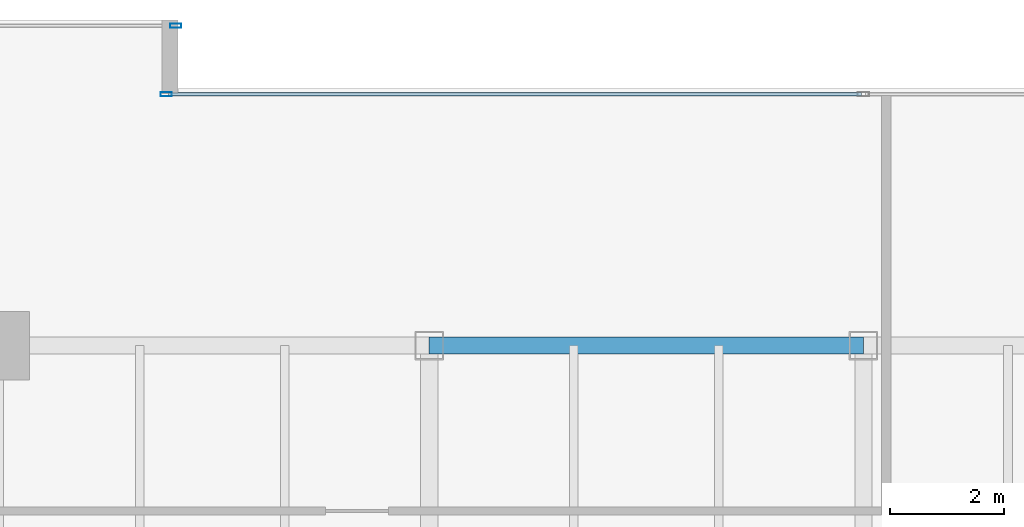
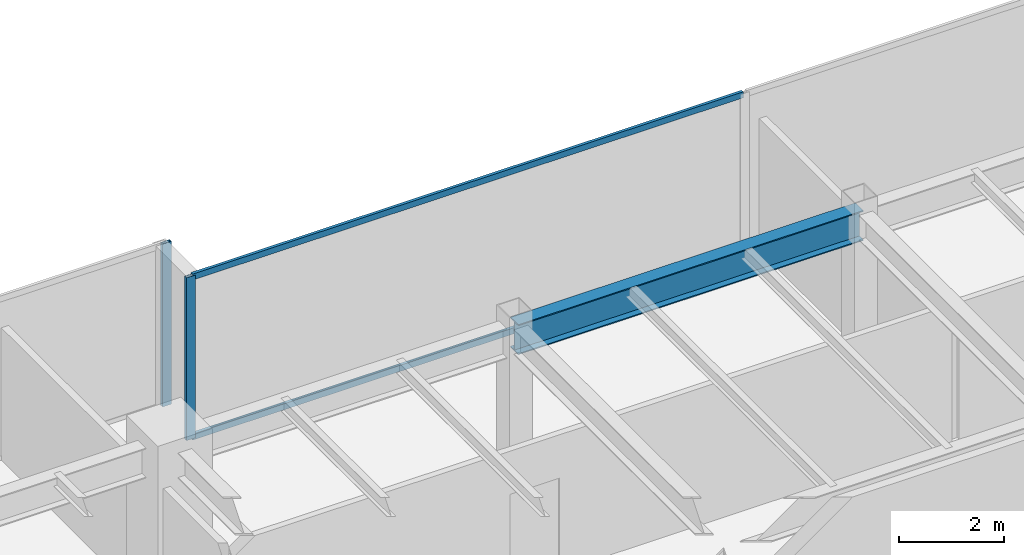
# One storey, part 16 of 30: 4 members, 1 beam, 2 elements without a shape of their own.
"""IFC4 building model written with IfcOpenShell, lengths in metres."""

from ifc_helpers import new_model, si_unit, direction, frame, origin, origin_2d, place, context, subcontext, project, spatial, hollow_rectangle, i_section, extrude, source, transform, mapped, material, layer, layer_set, material_profile, profile_set, type_object, type_shapes, element, aggregate, save


model = new_model("IFC4")

# Units and contexts
model_context = context("Model", 3, precision=1e-05, world=origin(), true_north=direction((0.0, 1.0)))
body_context = subcontext(model_context, "Body", "Model", "MODEL_VIEW")
ifc_project = project(units=[si_unit("LENGTHUNIT", "METRE"), si_unit("AREAUNIT", "SQUARE_METRE"), si_unit("VOLUMEUNIT", "CUBIC_METRE"), si_unit("PLANEANGLEUNIT", "RADIAN"), si_unit("MASSUNIT", "GRAM", prefix="KILO")], contexts=[model_context])

# Site, building, storey
site_placement = place(None, origin())
site = spatial("IfcSite", under=ifc_project, at=site_placement, CompositionType="ELEMENT")
building_placement = place(site_placement, origin())
building = spatial("IfcBuilding", under=site, at=building_placement, Name="Haelvirn Gate Laboratories", CompositionType="ELEMENT")
storey_placement = place(building_placement, frame((0.0, 0.0, 187.10009765625)))
storey = spatial("IfcBuildingStorey", under=building, at=storey_placement, Name="L45", CompositionType="ELEMENT", Elevation=187.10009765625)

# Beam
ifc_material_1 = material(Name="Steel SM355", Category="steel")
ifc_material_profile_1 = material_profile(ifc_material_1, i_section(OverallWidth=0.300048828125, OverallDepth=0.699951171875, WebThickness=0.012939453125, FlangeThickness=0.02392578125, at=origin_2d()), Name="H-700x300x13x24")
ifc_profile_set_1 = profile_set([ifc_material_profile_1], Name="Steel SM355")
beam_type = type_object("IfcBeamType", Name="BM-G-700", PredefinedType="BEAM", material=ifc_profile_set_1)
shared_shape_1 = source(origin(), body_context, "Body", "SweptSolid", [
    extrude(i_section(OverallWidth=0.300048828125, OverallDepth=0.699951171875, WebThickness=0.012939453125, FlangeThickness=0.02392578125, at=origin_2d()), origin(), (0.0, 0.0, 1.0), 7.599853515625),
])
type_shapes(beam_type, [shared_shape_1])
beam_placement = place(storey_placement, frame((29.800048828125, 41.60009765625, 3.43994140625), z_axis=(1.0, 0.0, 0.0), x_axis=(0.0, 1.0, 0.0)))
element("IfcBeam", 1, at=beam_placement, inside=storey, type_object=beam_type, Name="L45 Primary Girder Y41.6 (29.8-37.4)", PredefinedType="BEAM", context=body_context, shape_type="MappedRepresentation", body=[
    mapped(shared_shape_1, transform((0.0, 0.0, 0.0), scale=1.0)),
])

# Curtain wall, members
ifc_material_2 = material(Name="Anodised bronze unitised aluminium & triple low-E glass", Category="aluminium")
ifc_layer = layer(ifc_material_2, 0.179931640625, Name="CW-SYS-3")
ifc_layer_set = layer_set([ifc_layer], Name="Anodised bronze unitised aluminium & triple low-E glass")
curtain_wall_type = type_object("IfcCurtainWallType", Name="CW-SYS-3", PredefinedType="NOTDEFINED", material=ifc_layer_set)
curtain_wall_1_placement = place(storey_placement, origin())
curtain_wall_1 = element("IfcCurtainWall", 2, at=curtain_wall_1_placement, inside=storey, type_object=curtain_wall_type, Name="L45 Unitised Curtain Wall CW-L45-P0-E12-1", PredefinedType="NOTDEFINED")
ifc_material_3 = material(Name="Extruded aluminium 6063-T6 (anodised bronze)", Category="aluminium")
ifc_material_profile_2 = material_profile(ifc_material_3, hollow_rectangle(XDim=0.06494140625, YDim=0.139892578125, WallThickness=0.00390625, at=origin_2d()), Name="CWT-140x65x4")
ifc_profile_set_2 = profile_set([ifc_material_profile_2], Name="Extruded aluminium 6063-T6 (anodised bronze)")
member_type_1 = type_object("IfcMemberType", Name="CWT-T140", PredefinedType="USERDEFINED", material=ifc_profile_set_2)
shared_shape_2 = source(origin(), body_context, "Body", "SweptSolid", [
    extrude(hollow_rectangle(XDim=0.06494140625, YDim=0.139892578125, WallThickness=0.00390625, at=origin_2d()), origin(), (0.0, 0.0, 1.0), 12.12744140625),
])
type_shapes(member_type_1, [shared_shape_2])
member_1_placement = place(storey_placement, frame((25.235107421875, 46.0, 0.032470703125), z_axis=(1.0, 0.0, 0.0), x_axis=(0.0, 1.0, 0.0)))
member_1 = element("IfcMember", 3, at=member_1_placement, type_object=member_type_1, Name="CW3 transom 1.1", ObjectType="TRANSOM", PredefinedType="USERDEFINED", context=body_context, shape_type="MappedRepresentation", body=[
    mapped(shared_shape_2, transform((0.0, 0.0, 0.0), scale=1.0)),
])
member_2_placement = place(storey_placement, frame((25.235107421875, 46.0, 3.75732421875), z_axis=(1.0, 0.0, 0.0), x_axis=(0.0, 1.0, 0.0)))
member_2 = element("IfcMember", 4, at=member_2_placement, type_object=member_type_1, Name="CW3 transom 1.2", ObjectType="TRANSOM", PredefinedType="USERDEFINED", context=body_context, shape_type="MappedRepresentation", body=[
    mapped(shared_shape_2, transform((0.0, 0.0, 0.0), scale=1.0)),
])
ifc_material_profile_3 = material_profile(ifc_material_3, hollow_rectangle(XDim=0.074951171875, YDim=0.199951171875, WallThickness=0.0048828125, at=origin_2d()), Name="CWM-200x75x5")
ifc_profile_set_3 = profile_set([ifc_material_profile_3], Name="Extruded aluminium 6063-T6 (anodised bronze)")
member_type_2 = type_object("IfcMemberType", Name="CWM-T200", PredefinedType="MULLION", material=ifc_profile_set_3)
shared_shape_3 = source(origin(), body_context, "Body", "SweptSolid", [
    extrude(hollow_rectangle(XDim=0.074951171875, YDim=0.199951171875, WallThickness=0.0048828125, at=origin_2d()), origin(), (0.0, 0.0, 1.0), 3.789794921875),
])
type_shapes(member_type_2, [shared_shape_3])
member_3_placement = place(storey_placement, frame((25.197509765625, 46.0, 0.0), z_axis=(0.0, 0.0, 1.0), x_axis=(0.0, 1.0, 0.0)))
member_3 = element("IfcMember", 5, at=member_3_placement, type_object=member_type_2, Name="CW3 mullion 1", PredefinedType="MULLION", context=body_context, shape_type="MappedRepresentation", body=[
    mapped(shared_shape_3, transform((0.0, 0.0, 0.0), scale=1.0)),
])
aggregate(curtain_wall_1, [member_3, member_1, member_2])

# Curtain wall, member
curtain_wall_2_placement = place(storey_placement, origin())
curtain_wall_2 = element("IfcCurtainWall", 6, at=curtain_wall_2_placement, inside=storey, type_object=curtain_wall_type, Name="L45 Unitised Curtain Wall CW-L45-P0-E14-1", PredefinedType="NOTDEFINED")
member_4_placement = place(storey_placement, frame((25.362548828125, 47.199951171875, 0.0), z_axis=(0.0, 0.0, 1.0), x_axis=(0.0, 1.0, 0.0)))
member_4 = element("IfcMember", 7, at=member_4_placement, type_object=member_type_2, Name="CW3 mullion 3", PredefinedType="MULLION", context=body_context, shape_type="MappedRepresentation", body=[
    mapped(shared_shape_3, transform((0.0, 0.0, 0.0), scale=1.0)),
])
aggregate(curtain_wall_2, [member_4])

save(model, "model.ifc")
